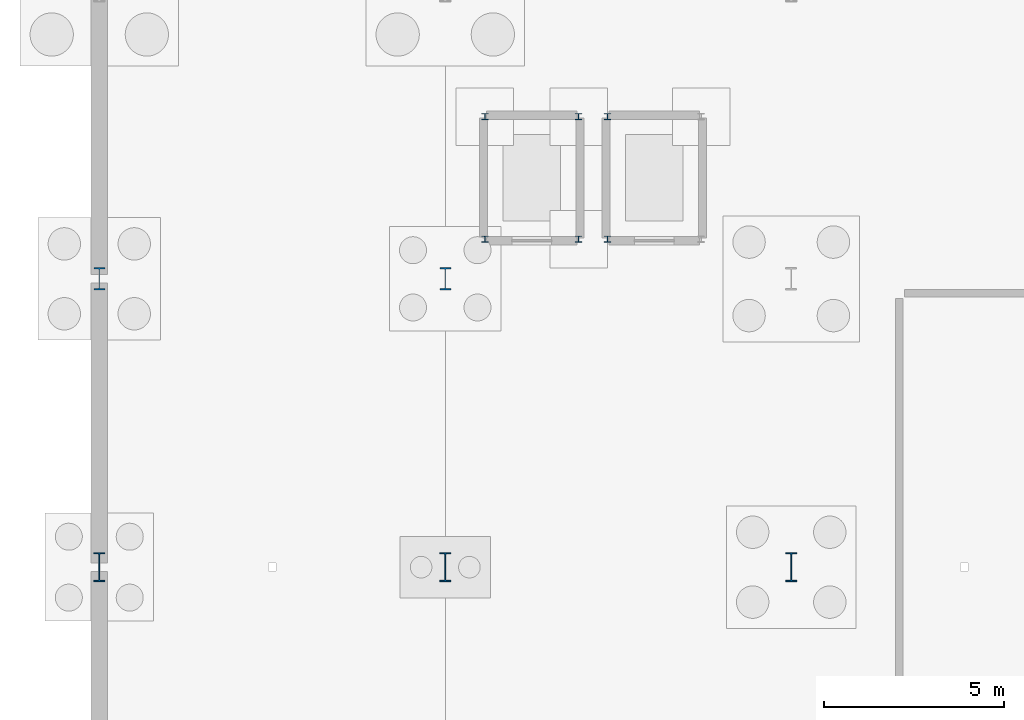
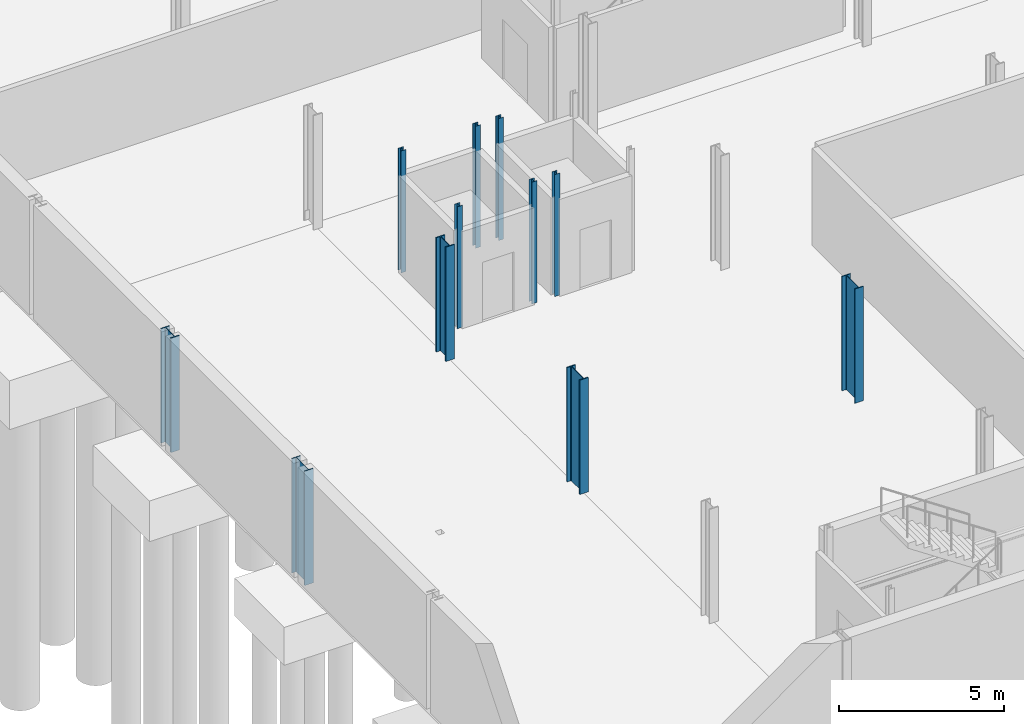
# One storey, part 16 of 47: 11 columns.
"""IFC4 building model written with IfcOpenShell, lengths in metres."""

from ifc_helpers import new_model, si_unit, direction, frame, origin, origin_2d, place, context, subcontext, project, spatial, i_section, extrude, material, material_profile, profile_set, type_object, element, save


model = new_model("IFC4")

# Units and contexts
model_context = context("Model", 3, precision=1e-05, world=origin(), true_north=direction((0.0, 1.0)))
body_context = subcontext(model_context, "Body", "Model", "MODEL_VIEW")
ifc_project = project(units=[si_unit("LENGTHUNIT", "METRE"), si_unit("AREAUNIT", "SQUARE_METRE"), si_unit("VOLUMEUNIT", "CUBIC_METRE"), si_unit("PLANEANGLEUNIT", "RADIAN"), si_unit("MASSUNIT", "GRAM", prefix="KILO")], contexts=[model_context])

# Site, building, storey
site_placement = place(None, origin())
site = spatial("IfcSite", under=ifc_project, at=site_placement, CompositionType="ELEMENT")
building_placement = place(site_placement, origin())
building = spatial("IfcBuilding", under=site, at=building_placement, Name="Alderhovde Museum", CompositionType="ELEMENT")
storey_placement = place(building_placement, frame((0.0, 0.0, -4.5)))
storey = spatial("IfcBuildingStorey", under=building, at=storey_placement, Name="B1", CompositionType="ELEMENT", Elevation=-4.5)

# Columns
ifc_material_1 = material(Name="Steel S355J2", Category="steel")
ifc_material_profile_1 = material_profile(ifc_material_1, i_section(OverallWidth=0.179931640625, OverallDepth=0.1708984375, WebThickness=0.006103515625, FlangeThickness=0.009521484375, FilletRadius=0.014892578125, at=origin_2d()), Name="HEA 180")
ifc_profile_set_1 = profile_set([ifc_material_profile_1], Name="Steel S355J2")
column_type_1 = type_object("IfcColumnType", Name="COL-HEA180", PredefinedType="COLUMN", material=ifc_profile_set_1)
for number, where, z_axis, x_axis, name in (
    (1, (20.300048828125, 73.10009765625, 0.0), (0.0, 0.0, 1.0), (1.0, 0.0, 0.0), "B1 Lift PL-01 Shaft Column 1"),
    (2, (22.89990234375, 73.10009765625, 0.0), (0.0, 0.0, 1.0), (1.0, 0.0, 0.0), "B1 Lift PL-01 Shaft Column 2"),
    (3, (22.89990234375, 76.5, 0.0), (0.0, 0.0, 1.0), (1.0, 0.0, 0.0), "B1 Lift PL-01 Shaft Column 3"),
    (4, (20.300048828125, 76.5, 0.0), (0.0, 0.0, 1.0), (1.0, 0.0, 0.0), "B1 Lift PL-01 Shaft Column 4"),
    (5, (23.699951171875, 73.10009765625, 0.0), (0.0, 0.0, 1.0), (1.0, 0.0, 0.0), "B1 Lift PL-02 Shaft Column 1"),
    (6, (23.699951171875, 76.5, 0.0), (0.0, 0.0, 1.0), (1.0, 0.0, 0.0), "B1 Lift PL-02 Shaft Column 4"),
):
    element("IfcColumn", number, at=place(storey_placement, frame(where, z_axis=z_axis, x_axis=x_axis)), inside=storey, type_object=column_type_1, Name=name, PredefinedType="COLUMN", context=body_context, shape_type="SweptSolid", body=[
        extrude(i_section(OverallWidth=0.179931640625, OverallDepth=0.1708984375, WebThickness=0.006103515625, FlangeThickness=0.009521484375, FilletRadius=0.014892578125, at=origin_2d()), origin(), (0.0, 0.0, 1.0), 4.5),
    ])
ifc_material_2 = material(Name="Steel S355J2", Category="steel")
ifc_material_profile_2 = material_profile(ifc_material_2, i_section(OverallWidth=0.300048828125, OverallDepth=0.800048828125, WebThickness=0.017578125, FlangeThickness=0.032958984375, FilletRadius=0.030029296875, at=origin_2d()), Name="HEB 800")
ifc_profile_set_2 = profile_set([ifc_material_profile_2], Name="Steel S355J2")
column_type_2 = type_object("IfcColumnType", Name="COL-HEB800", PredefinedType="COLUMN", material=ifc_profile_set_2)
for number, where, z_axis, x_axis, name in (
    (7, (9.60009765625, 64.0, 0.0), (0.0, 0.0, 1.0), (1.0, 0.0, 0.0), "B1 Column (9.6, 64.0)"),
    (8, (19.199951171875, 64.0, 0.0), (0.0, 0.0, 1.0), (1.0, 0.0, 0.0), "B1 Column (19.2, 64.0)"),
    (9, (28.800048828125, 64.0, 0.0), (0.0, 0.0, 1.0), (1.0, 0.0, 0.0), "B1 Column (28.8, 64.0)"),
):
    element("IfcColumn", number, at=place(storey_placement, frame(where, z_axis=z_axis, x_axis=x_axis)), inside=storey, type_object=column_type_2, Name=name, PredefinedType="COLUMN", context=body_context, shape_type="SweptSolid", body=[
        extrude(i_section(OverallWidth=0.300048828125, OverallDepth=0.800048828125, WebThickness=0.017578125, FlangeThickness=0.032958984375, FilletRadius=0.030029296875, at=origin_2d()), origin(), (0.0, 0.0, 1.0), 4.219970703125),
    ])
ifc_material_3 = material(Name="Steel S355J2", Category="steel")
ifc_material_profile_3 = material_profile(ifc_material_3, i_section(OverallWidth=0.304931640625, OverallDepth=0.6201171875, WebThickness=0.02099609375, FlangeThickness=0.0400390625, FilletRadius=0.027099609375, at=origin_2d()), Name="HEM 600")
ifc_profile_set_3 = profile_set([ifc_material_profile_3], Name="Steel S355J2")
column_type_3 = type_object("IfcColumnType", Name="COL-HEM600", PredefinedType="COLUMN", material=ifc_profile_set_3)
for number, where, z_axis, x_axis, name in (
    (10, (9.60009765625, 72.0, 0.0), (0.0, 0.0, 1.0), (1.0, 0.0, 0.0), "B1 Column (9.6, 72.0)"),
    (11, (19.199951171875, 72.0, 0.0), (0.0, 0.0, 1.0), (1.0, 0.0, 0.0), "B1 Column (19.2, 72.0)"),
):
    element("IfcColumn", number, at=place(storey_placement, frame(where, z_axis=z_axis, x_axis=x_axis)), inside=storey, type_object=column_type_3, Name=name, PredefinedType="COLUMN", context=body_context, shape_type="SweptSolid", body=[
        extrude(i_section(OverallWidth=0.304931640625, OverallDepth=0.6201171875, WebThickness=0.02099609375, FlangeThickness=0.0400390625, FilletRadius=0.027099609375, at=origin_2d()), origin(), (0.0, 0.0, 1.0), 4.219970703125),
    ])

save(model, "model.ifc")
